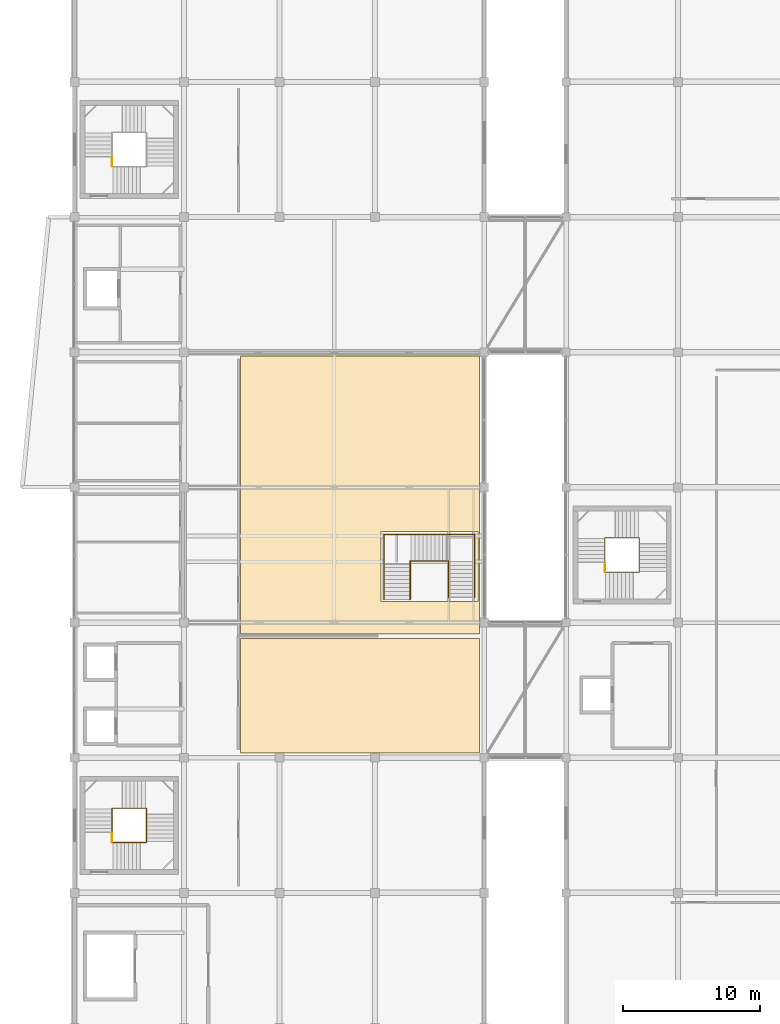
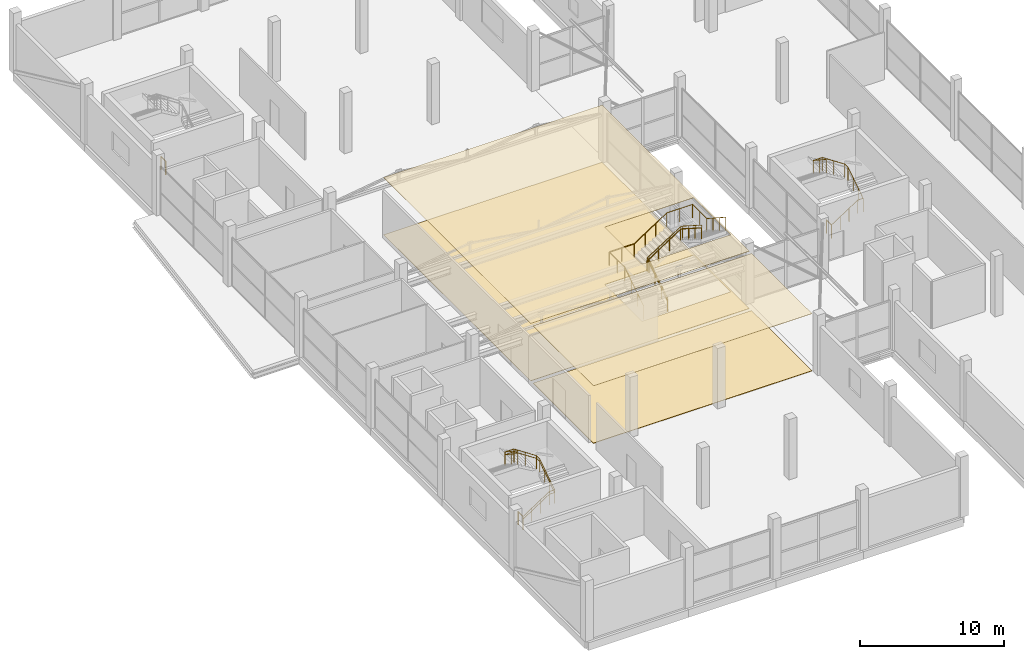
# One storey, part 65 of 66: 9 railings, 4 coverings.
"""IFC4 building model written with IfcOpenShell, lengths in metres."""

from ifc_helpers import new_model, si_unit, direction, frame, origin, origin_2d, place, context, subcontext, project, spatial, polyline, circle, outline, extrude, material, layer, layer_set, type_object, element, save


model = new_model("IFC4")

# Units and contexts
model_context = context("Model", 3, precision=1e-05, world=origin(), true_north=direction((0.0, 1.0)))
body_context = subcontext(model_context, "Body", "Model", "MODEL_VIEW")
ifc_project = project(units=[si_unit("LENGTHUNIT", "METRE"), si_unit("AREAUNIT", "SQUARE_METRE"), si_unit("VOLUMEUNIT", "CUBIC_METRE"), si_unit("PLANEANGLEUNIT", "RADIAN"), si_unit("MASSUNIT", "GRAM", prefix="KILO")], contexts=[model_context])

# Site, building, storey
site_placement = place(None, origin())
site = spatial("IfcSite", under=ifc_project, at=site_placement, CompositionType="ELEMENT")
building_placement = place(site_placement, origin())
building = spatial("IfcBuilding", under=site, at=building_placement, Name="Sillaruma Civic Art Gallery", CompositionType="ELEMENT")
storey_placement = place(building_placement, frame((0.0, 0.0, 57.1201171875)))
storey = spatial("IfcBuildingStorey", under=building, at=storey_placement, Name="L11", CompositionType="ELEMENT", Elevation=57.1201171875)

# Coverings
ifc_material_1 = material(Name="Gypsum Acoustic Board", Category="gypsum")
ifc_layer_1 = layer(ifc_material_1, 0.030029296875, Name="Gypsum Acoustic Board")
ifc_layer_set_1 = layer_set([ifc_layer_1], Name="Gypsum Acoustic Board")
covering_type_1 = type_object("IfcCoveringType", Name="COV-CLG-30", PredefinedType="CEILING", material=ifc_layer_set_1)
covering_1_placement = place(storey_placement, frame((0.0, 0.0, 4.83984375)))
element("IfcCovering", 1, at=covering_1_placement, inside=storey, type_object=covering_type_1, Name="Acoustic Gallery Ceiling (L11-GALW1)", PredefinedType="CEILING", context=body_context, shape_type="SweptSolid", body=[
    extrude(outline(polyline([(74.159912109375, 39.9599609375), (91.639892578125, 39.9599609375), (91.639892578125, 48.340087890625), (74.159912109375, 48.340087890625), (74.159912109375, 39.9599609375)])), origin(), (0.0, 0.0, 1.0), 0.030029296875),
])
covering_2_placement = place(storey_placement, frame((0.0, 0.0, 4.83984375)))
element("IfcCovering", 2, at=covering_2_placement, inside=storey, type_object=covering_type_1, Name="Acoustic Gallery Ceiling (L11-GALW2)", PredefinedType="CEILING", context=body_context, shape_type="SweptSolid", body=[
    extrude(outline(polyline([(74.159912109375, 69.0400390625), (91.639892578125, 69.0400390625), (91.639892578125, 48.659912109375), (74.159912109375, 48.659912109375), (74.159912109375, 69.0400390625)]), holes=[polyline([(91.511962890625, 51.030029296875), (91.513916015625, 51.030517578125), (91.515869140625, 51.031005859375), (91.517578125, 51.031494140625), (91.519287109375, 51.032470703125), (91.52099609375, 51.033447265625), (91.522705078125, 51.034423828125), (91.524169921875, 51.035888671875), (91.525390625, 51.037353515625), (91.526611328125, 51.038818359375), (91.527587890625, 51.04052734375), (91.528564453125, 51.042236328125), (91.529052734375, 51.044189453125), (91.529541015625, 51.046142578125), (91.52978515625, 51.048095703125), (91.530029296875, 51.050048828125), (91.530029296875, 56.14990234375), (91.52978515625, 56.152099609375), (91.529541015625, 56.15380859375), (91.529052734375, 56.15576171875), (91.528564453125, 56.15771484375), (91.527587890625, 56.159423828125), (91.526611328125, 56.1611328125), (91.525390625, 56.16259765625), (91.524169921875, 56.1640625), (91.522705078125, 56.16552734375), (91.52099609375, 56.16650390625), (91.519287109375, 56.16748046875), (91.517578125, 56.16845703125), (91.515869140625, 56.169189453125), (91.513916015625, 56.169677734375), (91.511962890625, 56.169921875), (91.510009765625, 56.169921875), (84.449951171875, 56.169921875), (84.447998046875, 56.169921875), (84.446044921875, 56.169677734375), (84.444091796875, 56.169189453125), (84.4423828125, 56.16845703125), (84.440673828125, 56.16748046875), (84.43896484375, 56.16650390625), (84.437255859375, 56.16552734375), (84.435791015625, 56.1640625), (84.4345703125, 56.16259765625), (84.433349609375, 56.1611328125), (84.432373046875, 56.159423828125), (84.431396484375, 56.15771484375), (84.430908203125, 56.15576171875), (84.430419921875, 56.15380859375), (84.43017578125, 56.152099609375), (84.429931640625, 56.14990234375), (84.429931640625, 51.050048828125), (84.43017578125, 51.048095703125), (84.430419921875, 51.046142578125), (84.430908203125, 51.044189453125), (84.431396484375, 51.042236328125), (84.432373046875, 51.04052734375), (84.433349609375, 51.038818359375), (84.4345703125, 51.037353515625), (84.435791015625, 51.035888671875), (84.437255859375, 51.034423828125), (84.43896484375, 51.033447265625), (84.440673828125, 51.032470703125), (84.4423828125, 51.031494140625), (84.444091796875, 51.031005859375), (84.446044921875, 51.030517578125), (84.447998046875, 51.030029296875), (84.449951171875, 51.030029296875), (91.510009765625, 51.030029296875), (91.511962890625, 51.030029296875)])]), origin(), (0.0, 0.0, 1.0), 0.030029296875),
])
ifc_material_2 = material(Name="Polished Terrazzo", Category="masonry")
ifc_layer_2 = layer(ifc_material_2, 0.02490234375, Name="Polished Terrazzo")
ifc_layer_set_2 = layer_set([ifc_layer_2], Name="Polished Terrazzo")
covering_type_2 = type_object("IfcCoveringType", Name="COV-FLR-25", PredefinedType="FLOORING", material=ifc_layer_set_2)
covering_3_placement = place(storey_placement, origin())
element("IfcCovering", 3, at=covering_3_placement, inside=storey, type_object=covering_type_2, Name="Gallery Stone Terrazzo Flooring (L11-GALW2)", PredefinedType="FLOORING", context=body_context, shape_type="SweptSolid", body=[
    extrude(outline(polyline([(74.159912109375, 69.0400390625), (91.639892578125, 69.0400390625), (91.639892578125, 48.659912109375), (74.159912109375, 48.659912109375), (74.159912109375, 69.0400390625)]), holes=[polyline([(91.511962890625, 51.030029296875), (91.513916015625, 51.030517578125), (91.515869140625, 51.031005859375), (91.517578125, 51.031494140625), (91.519287109375, 51.032470703125), (91.52099609375, 51.033447265625), (91.522705078125, 51.034423828125), (91.524169921875, 51.035888671875), (91.525390625, 51.037353515625), (91.526611328125, 51.038818359375), (91.527587890625, 51.04052734375), (91.528564453125, 51.042236328125), (91.529052734375, 51.044189453125), (91.529541015625, 51.046142578125), (91.52978515625, 51.048095703125), (91.530029296875, 51.050048828125), (91.530029296875, 56.14990234375), (91.52978515625, 56.152099609375), (91.529541015625, 56.15380859375), (91.529052734375, 56.15576171875), (91.528564453125, 56.15771484375), (91.527587890625, 56.159423828125), (91.526611328125, 56.1611328125), (91.525390625, 56.16259765625), (91.524169921875, 56.1640625), (91.522705078125, 56.16552734375), (91.52099609375, 56.16650390625), (91.519287109375, 56.16748046875), (91.517578125, 56.16845703125), (91.515869140625, 56.169189453125), (91.513916015625, 56.169677734375), (91.511962890625, 56.169921875), (91.510009765625, 56.169921875), (84.449951171875, 56.169921875), (84.447998046875, 56.169921875), (84.446044921875, 56.169677734375), (84.444091796875, 56.169189453125), (84.4423828125, 56.16845703125), (84.440673828125, 56.16748046875), (84.43896484375, 56.16650390625), (84.437255859375, 56.16552734375), (84.435791015625, 56.1640625), (84.4345703125, 56.16259765625), (84.433349609375, 56.1611328125), (84.432373046875, 56.159423828125), (84.431396484375, 56.15771484375), (84.430908203125, 56.15576171875), (84.430419921875, 56.15380859375), (84.43017578125, 56.152099609375), (84.429931640625, 56.14990234375), (84.429931640625, 51.050048828125), (84.43017578125, 51.048095703125), (84.430419921875, 51.046142578125), (84.430908203125, 51.044189453125), (84.431396484375, 51.042236328125), (84.432373046875, 51.04052734375), (84.433349609375, 51.038818359375), (84.4345703125, 51.037353515625), (84.435791015625, 51.035888671875), (84.437255859375, 51.034423828125), (84.43896484375, 51.033447265625), (84.440673828125, 51.032470703125), (84.4423828125, 51.031494140625), (84.444091796875, 51.031005859375), (84.446044921875, 51.030517578125), (84.447998046875, 51.030029296875), (84.449951171875, 51.030029296875), (91.510009765625, 51.030029296875), (91.511962890625, 51.030029296875)])]), origin(), (0.0, 0.0, 1.0), 0.02490234375),
])
ifc_material_3 = material(Name="Basalt Paver Stone", Category="masonry")
ifc_layer_3 = layer(ifc_material_3, 0.034912109375, Name="Basalt Paver Stone")
ifc_layer_set_3 = layer_set([ifc_layer_3], Name="Basalt Paver Stone")
covering_type_3 = type_object("IfcCoveringType", Name="COV-FLR-35", PredefinedType="FLOORING", material=ifc_layer_set_3)
covering_4_placement = place(storey_placement, origin())
element("IfcCovering", 4, at=covering_4_placement, inside=storey, type_object=covering_type_3, Name="Gallery Stone Terrazzo Flooring (L11-GALW1)", PredefinedType="FLOORING", context=body_context, shape_type="SweptSolid", body=[
    extrude(outline(polyline([(74.159912109375, 39.9599609375), (91.639892578125, 39.9599609375), (91.639892578125, 48.340087890625), (74.159912109375, 48.340087890625), (74.159912109375, 39.9599609375)])), origin(), (0.0, 0.0, 1.0), 0.034912109375),
])

# Railings
ifc_material_4 = material(Name="Stainless Steel AISI 316", Category="steel")
railing_type_1 = type_object("IfcRailingType", Name="RAL-BAL-1150", PredefinedType="BALUSTRADE", material=ifc_material_4)
for number, where, name in (
    (5, (64.739990234375, 82.889892578125, 0.0), "Stair Floor Edge Guard (ST-02:L11)"),
    (6, (64.739990234375, 33.389892578125, 0.0), "Stair Floor Edge Guard (ST-03:L11)"),
):
    element("IfcRailing", number, at=place(storey_placement, frame(where)), inside=storey, type_object=railing_type_1, Name=name, PredefinedType="BALUSTRADE", context=body_context, shape_type="SweptSolid", body=[
        extrude(circle(Radius=0.02392578125, at=origin_2d()), frame((0.0, 0.0, 1.1259765625), z_axis=(0.0, 1.0, 0.0), x_axis=(-1.0, 0.0, 0.0)), (0.0, 0.0, 1.0), 0.68017578125),
        extrude(circle(Radius=0.02099609375, at=origin_2d()), origin(), (0.0, 0.0, 1.0), 1.101806640625),
        extrude(circle(Radius=0.02099609375, at=origin_2d()), frame((0.0, 0.68017578125, 0.0)), (0.0, 0.0, 1.0), 1.101806640625),
    ])
railing_1_placement = place(storey_placement, frame((64.739990234375, 33.389892578125, 0.0)))
element("IfcRailing", 7, at=railing_1_placement, inside=storey, type_object=railing_type_1, Name="Stair Well Balustrade (ST-03-L11)", PredefinedType="BALUSTRADE", context=body_context, shape_type="SweptSolid", body=[
    extrude(circle(Radius=0.02392578125, at=origin_2d()), frame((0.0, 0.0, 1.1259765625), z_axis=(0.838204181713, 0.0, 0.545356534534), x_axis=(0.0, 1.0, 0.0)), (0.0, 0.0, 1.0), 2.49365234375),
    extrude(circle(Radius=0.02392578125, at=origin_2d()), frame((2.090087890625, 0.0, 2.48583984375), z_axis=(1.0, 0.0, 0.0), x_axis=(0.0, 1.0, 0.0)), (0.0, 0.0, 1.0), 0.429931640625),
    extrude(circle(Radius=0.02392578125, at=origin_2d()), frame((2.52001953125, 0.0, 2.48583984375), z_axis=(0.0, 0.838159424827, 0.545425318971), x_axis=(-1.0, 0.0, 0.0)), (0.0, 0.0, 1.0), 2.49365234375),
    extrude(circle(Radius=0.02392578125, at=origin_2d()), frame((2.52001953125, 2.090087890625, 3.845703125), z_axis=(0.0, 1.0, 0.0), x_axis=(-1.0, 0.0, 0.0)), (0.0, 0.0, 1.0), 0.429931640625),
    extrude(circle(Radius=0.02392578125, at=origin_2d()), frame((2.52001953125, 2.52001953125, 3.845703125), z_axis=(-0.834202413191, 0.0, 0.551458369984), x_axis=(0.0, -1.0, 0.0)), (0.0, 0.0, 1.0), 2.15771484375),
    extrude(circle(Radius=0.02392578125, at=origin_2d()), frame((0.719970703125, 2.52001953125, 5.03564453125), z_axis=(-1.0, 0.0, 0.0), x_axis=(0.0, -1.0, 0.0)), (0.0, 0.0, 1.0), 0.719970703125),
    extrude(circle(Radius=0.02392578125, at=origin_2d()), frame((0.0, 2.52001953125, 5.03564453125), z_axis=(0.0, -0.834168000855, 0.551510422703), x_axis=(1.0, 0.0, 0.0)), (0.0, 0.0, 1.0), 2.15771484375),
    extrude(circle(Radius=0.02099609375, at=origin_2d()), origin(), (0.0, 0.0, 1.0), 1.101806640625),
    extrude(circle(Radius=0.02099609375, at=origin_2d()), frame((0.69677734375, 0.0, 0.453369140625)), (0.0, 0.0, 1.0), 1.101806640625),
    extrude(circle(Radius=0.02099609375, at=origin_2d()), frame((1.393310546875, 0.0, 0.906494140625)), (0.0, 0.0, 1.0), 1.101806640625),
    extrude(circle(Radius=0.02099609375, at=origin_2d()), frame((2.090087890625, 0.0, 1.35986328125)), (0.0, 0.0, 1.0), 1.101806640625),
    extrude(circle(Radius=0.02099609375, at=origin_2d()), frame((2.52001953125, 0.0, 1.35986328125)), (0.0, 0.0, 1.0), 1.101806640625),
    extrude(circle(Radius=0.02099609375, at=origin_2d()), frame((2.52001953125, 0.69677734375, 1.813232421875)), (0.0, 0.0, 1.0), 1.101806640625),
    extrude(circle(Radius=0.02099609375, at=origin_2d()), frame((2.52001953125, 1.393310546875, 2.2666015625)), (0.0, 0.0, 1.0), 1.101806640625),
    extrude(circle(Radius=0.02099609375, at=origin_2d()), frame((2.52001953125, 2.090087890625, 2.719970703125)), (0.0, 0.0, 1.0), 1.101806640625),
    extrude(circle(Radius=0.02099609375, at=origin_2d()), frame((2.52001953125, 2.52001953125, 2.719970703125)), (0.0, 0.0, 1.0), 1.101806640625),
    extrude(circle(Radius=0.02099609375, at=origin_2d()), frame((1.6201171875, 2.52001953125, 3.31494140625)), (0.0, 0.0, 1.0), 1.101806640625),
    extrude(circle(Radius=0.02099609375, at=origin_2d()), frame((0.719970703125, 2.52001953125, 3.909912109375)), (0.0, 0.0, 1.0), 1.101806640625),
    extrude(circle(Radius=0.02099609375, at=origin_2d()), frame((0.0, 2.52001953125, 3.909912109375)), (0.0, 0.0, 1.0), 1.101806640625),
    extrude(circle(Radius=0.02099609375, at=origin_2d()), frame((0.0, 1.6201171875, 4.5048828125)), (0.0, 0.0, 1.0), 1.101806640625),
    extrude(circle(Radius=0.02099609375, at=origin_2d()), frame((0.0, 0.72021484375, 5.099853515625)), (0.0, 0.0, 1.0), 1.101806640625),
])
railing_2_placement = place(storey_placement, frame((100.840087890625, 53.18994140625, 0.0)))
element("IfcRailing", 8, at=railing_2_placement, inside=storey, type_object=railing_type_1, Name="Stair Floor Edge Guard (ST-04:L11)", PredefinedType="BALUSTRADE", context=body_context, shape_type="SweptSolid", body=[
    extrude(circle(Radius=0.02392578125, at=origin_2d()), frame((0.0, 0.0, 1.1259765625), z_axis=(0.0, 1.0, 0.0), x_axis=(-1.0, 0.0, 0.0)), (0.0, 0.0, 1.0), 0.68017578125),
    extrude(circle(Radius=0.02099609375, at=origin_2d()), origin(), (0.0, 0.0, 1.0), 1.101806640625),
    extrude(circle(Radius=0.02099609375, at=origin_2d()), frame((0.0, 0.68017578125, 0.0)), (0.0, 0.0, 1.0), 1.101806640625),
])
railing_3_placement = place(storey_placement, frame((100.840087890625, 53.18994140625, 0.0)))
element("IfcRailing", 9, at=railing_3_placement, inside=storey, type_object=railing_type_1, Name="Stair Well Balustrade (ST-04-L11)", PredefinedType="BALUSTRADE", context=body_context, shape_type="SweptSolid", body=[
    extrude(circle(Radius=0.02392578125, at=origin_2d()), frame((0.0, 0.0, 1.1259765625), z_axis=(0.838175058464, 0.0, 0.545401293883), x_axis=(0.0, 1.0, 0.0)), (0.0, 0.0, 1.0), 2.493408203125),
    extrude(circle(Radius=0.02392578125, at=origin_2d()), frame((2.08984375, 0.0, 2.48583984375), z_axis=(1.0, 0.0, 0.0), x_axis=(0.0, 1.0, 0.0)), (0.0, 0.0, 1.0), 0.43017578125),
    extrude(circle(Radius=0.02392578125, at=origin_2d()), frame((2.52001953125, 0.0, 2.48583984375), z_axis=(0.0, 0.838159424827, 0.545425318971), x_axis=(-1.0, 0.0, 0.0)), (0.0, 0.0, 1.0), 2.49365234375),
    extrude(circle(Radius=0.02392578125, at=origin_2d()), frame((2.52001953125, 2.090087890625, 3.845703125), z_axis=(0.0, 1.0, 0.0), x_axis=(-1.0, 0.0, 0.0)), (0.0, 0.0, 1.0), 0.429931640625),
    extrude(circle(Radius=0.02392578125, at=origin_2d()), frame((2.52001953125, 2.52001953125, 3.845703125), z_axis=(-0.834202413191, 0.0, 0.551458369984), x_axis=(0.0, -1.0, 0.0)), (0.0, 0.0, 1.0), 2.15771484375),
    extrude(circle(Radius=0.02392578125, at=origin_2d()), frame((0.719970703125, 2.52001953125, 5.03564453125), z_axis=(-1.0, 0.0, 0.0), x_axis=(0.0, -1.0, 0.0)), (0.0, 0.0, 1.0), 0.719970703125),
    extrude(circle(Radius=0.02392578125, at=origin_2d()), frame((0.0, 2.52001953125, 5.03564453125), z_axis=(0.0, -0.834202413191, 0.551458369984), x_axis=(1.0, 0.0, 0.0)), (0.0, 0.0, 1.0), 2.15771484375),
    extrude(circle(Radius=0.02099609375, at=origin_2d()), origin(), (0.0, 0.0, 1.0), 1.101806640625),
    extrude(circle(Radius=0.02099609375, at=origin_2d()), frame((0.696533203125, 0.0, 0.453369140625)), (0.0, 0.0, 1.0), 1.101806640625),
    extrude(circle(Radius=0.02099609375, at=origin_2d()), frame((1.393310546875, 0.0, 0.906494140625)), (0.0, 0.0, 1.0), 1.101806640625),
    extrude(circle(Radius=0.02099609375, at=origin_2d()), frame((2.08984375, 0.0, 1.35986328125)), (0.0, 0.0, 1.0), 1.101806640625),
    extrude(circle(Radius=0.02099609375, at=origin_2d()), frame((2.52001953125, 0.0, 1.35986328125)), (0.0, 0.0, 1.0), 1.101806640625),
    extrude(circle(Radius=0.02099609375, at=origin_2d()), frame((2.52001953125, 0.69677734375, 1.813232421875)), (0.0, 0.0, 1.0), 1.101806640625),
    extrude(circle(Radius=0.02099609375, at=origin_2d()), frame((2.52001953125, 1.393310546875, 2.2666015625)), (0.0, 0.0, 1.0), 1.101806640625),
    extrude(circle(Radius=0.02099609375, at=origin_2d()), frame((2.52001953125, 2.090087890625, 2.719970703125)), (0.0, 0.0, 1.0), 1.101806640625),
    extrude(circle(Radius=0.02099609375, at=origin_2d()), frame((2.52001953125, 2.52001953125, 2.719970703125)), (0.0, 0.0, 1.0), 1.101806640625),
    extrude(circle(Radius=0.02099609375, at=origin_2d()), frame((1.6201171875, 2.52001953125, 3.31494140625)), (0.0, 0.0, 1.0), 1.101806640625),
    extrude(circle(Radius=0.02099609375, at=origin_2d()), frame((0.719970703125, 2.52001953125, 3.909912109375)), (0.0, 0.0, 1.0), 1.101806640625),
    extrude(circle(Radius=0.02099609375, at=origin_2d()), frame((0.0, 2.52001953125, 3.909912109375)), (0.0, 0.0, 1.0), 1.101806640625),
    extrude(circle(Radius=0.02099609375, at=origin_2d()), frame((0.0, 1.6201171875, 4.5048828125)), (0.0, 0.0, 1.0), 1.101806640625),
    extrude(circle(Radius=0.02099609375, at=origin_2d()), frame((0.0, 0.719970703125, 5.099853515625)), (0.0, 0.0, 1.0), 1.101806640625),
])
railing_4_placement = place(storey_placement, frame((86.580078125, 51.199951171875, 0.0)))
element("IfcRailing", 10, at=railing_4_placement, inside=storey, type_object=railing_type_1, Name="Feature Stair Inner Guard (ST-G07)", PredefinedType="BALUSTRADE", context=body_context, shape_type="SweptSolid", body=[
    extrude(circle(Radius=0.02392578125, at=origin_2d()), frame((0.0, 0.0, 1.1259765625), z_axis=(0.0, 0.83794723758, 0.545751250142), x_axis=(-1.0, 0.0, 0.0)), (0.0, 0.0, 1.0), 3.114990234375),
    extrude(circle(Radius=0.02392578125, at=origin_2d()), frame((0.0, 2.610107421875, 2.82568359375), z_axis=(0.0, 1.0, 0.0), x_axis=(-1.0, 0.0, 0.0)), (0.0, 0.0, 1.0), 0.2099609375),
    extrude(circle(Radius=0.02392578125, at=origin_2d()), frame((0.0, 2.820068359375, 2.82568359375), z_axis=(0.843531243528, 0.0, 0.537080106866), x_axis=(0.0, 1.0, 0.0)), (0.0, 0.0, 1.0), 3.165283203125),
    extrude(circle(Radius=0.02392578125, at=origin_2d()), frame((2.669921875, 2.820068359375, 4.52587890625), z_axis=(1.0, 0.0, 0.0), x_axis=(0.0, 1.0, 0.0)), (0.0, 0.0, 1.0), 0.1298828125),
    extrude(circle(Radius=0.02392578125, at=origin_2d()), frame((2.7998046875, 2.820068359375, 4.52587890625), z_axis=(0.0, -0.843531243528, 0.537080106866), x_axis=(1.0, 0.0, 0.0)), (0.0, 0.0, 1.0), 3.165283203125),
    extrude(circle(Radius=0.02099609375, at=origin_2d()), origin(), (0.0, 0.0, 1.0), 1.101806640625),
    extrude(circle(Radius=0.02099609375, at=origin_2d()), frame((0.0, 0.8701171875, 0.566650390625)), (0.0, 0.0, 1.0), 1.101806640625),
    extrude(circle(Radius=0.02099609375, at=origin_2d()), frame((0.0, 1.739990234375, 1.13330078125)), (0.0, 0.0, 1.0), 1.101806640625),
    extrude(circle(Radius=0.02099609375, at=origin_2d()), frame((0.0, 2.610107421875, 1.699951171875)), (0.0, 0.0, 1.0), 1.101806640625),
    extrude(circle(Radius=0.02099609375, at=origin_2d()), frame((0.0, 2.820068359375, 1.699951171875)), (0.0, 0.0, 1.0), 1.101806640625),
    extrude(circle(Radius=0.02099609375, at=origin_2d()), frame((0.889892578125, 2.820068359375, 2.2666015625)), (0.0, 0.0, 1.0), 1.101806640625),
    extrude(circle(Radius=0.02099609375, at=origin_2d()), frame((1.780029296875, 2.820068359375, 2.833251953125)), (0.0, 0.0, 1.0), 1.101806640625),
    extrude(circle(Radius=0.02099609375, at=origin_2d()), frame((2.669921875, 2.820068359375, 3.39990234375)), (0.0, 0.0, 1.0), 1.101806640625),
    extrude(circle(Radius=0.02099609375, at=origin_2d()), frame((2.7998046875, 2.820068359375, 3.39990234375)), (0.0, 0.0, 1.0), 1.101806640625),
    extrude(circle(Radius=0.02099609375, at=origin_2d()), frame((2.7998046875, 1.93017578125, 3.966552734375)), (0.0, 0.0, 1.0), 1.101806640625),
    extrude(circle(Radius=0.02099609375, at=origin_2d()), frame((2.7998046875, 1.0400390625, 4.533203125)), (0.0, 0.0, 1.0), 1.101806640625),
    extrude(circle(Radius=0.02099609375, at=origin_2d()), frame((2.7998046875, 0.150146484375, 5.099853515625)), (0.0, 0.0, 1.0), 1.101806640625),
])
railing_5_placement = place(storey_placement, frame((84.659912109375, 51.199951171875, 0.0)))
element("IfcRailing", 11, at=railing_5_placement, inside=storey, type_object=railing_type_1, Name="Feature Stair Outer Guard (ST-G07)", PredefinedType="BALUSTRADE", context=body_context, shape_type="SweptSolid", body=[
    extrude(circle(Radius=0.02392578125, at=origin_2d()), frame((0.0, 0.0, 1.1259765625), z_axis=(0.0, 0.83794723758, 0.545751250142), x_axis=(-1.0, 0.0, 0.0)), (0.0, 0.0, 1.0), 3.114990234375),
    extrude(circle(Radius=0.02392578125, at=origin_2d()), frame((0.0, 2.610107421875, 2.82568359375), z_axis=(0.0, 1.0, 0.0), x_axis=(-1.0, 0.0, 0.0)), (0.0, 0.0, 1.0), 2.1298828125),
    extrude(circle(Radius=0.02392578125, at=origin_2d()), frame((0.0, 4.739990234375, 2.82568359375), z_axis=(1.0, 0.0, 0.0), x_axis=(0.0, 1.0, 0.0)), (0.0, 0.0, 1.0), 1.97998046875),
    extrude(circle(Radius=0.02392578125, at=origin_2d()), frame((1.97998046875, 4.739990234375, 2.82568359375), z_axis=(0.83794723758, 0.0, 0.545751250142), x_axis=(0.0, 1.0, 0.0)), (0.0, 0.0, 1.0), 3.114990234375),
    extrude(circle(Radius=0.02392578125, at=origin_2d()), frame((4.590087890625, 4.739990234375, 4.52587890625), z_axis=(1.0, 0.0, 0.0), x_axis=(0.0, 1.0, 0.0)), (0.0, 0.0, 1.0), 2.050048828125),
    extrude(circle(Radius=0.02392578125, at=origin_2d()), frame((6.64013671875, 4.739990234375, 4.52587890625), z_axis=(0.0, -1.0, 0.0), x_axis=(1.0, 0.0, 0.0)), (0.0, 0.0, 1.0), 1.97998046875),
    extrude(circle(Radius=0.02392578125, at=origin_2d()), frame((6.64013671875, 2.760009765625, 4.52587890625), z_axis=(0.0, -0.837923890606, 0.545787095443), x_axis=(1.0, 0.0, 0.0)), (0.0, 0.0, 1.0), 3.11474609375),
    extrude(circle(Radius=0.02099609375, at=origin_2d()), origin(), (0.0, 0.0, 1.0), 1.101806640625),
    extrude(circle(Radius=0.02099609375, at=origin_2d()), frame((0.0, 0.8701171875, 0.566650390625)), (0.0, 0.0, 1.0), 1.101806640625),
    extrude(circle(Radius=0.02099609375, at=origin_2d()), frame((0.0, 1.739990234375, 1.13330078125)), (0.0, 0.0, 1.0), 1.101806640625),
    extrude(circle(Radius=0.02099609375, at=origin_2d()), frame((0.0, 2.610107421875, 1.699951171875)), (0.0, 0.0, 1.0), 1.101806640625),
    extrude(circle(Radius=0.02099609375, at=origin_2d()), frame((0.0, 3.675048828125, 1.699951171875)), (0.0, 0.0, 1.0), 1.101806640625),
    extrude(circle(Radius=0.02099609375, at=origin_2d()), frame((0.0, 4.739990234375, 1.699951171875)), (0.0, 0.0, 1.0), 1.101806640625),
    extrude(circle(Radius=0.02099609375, at=origin_2d()), frame((0.989990234375, 4.739990234375, 1.699951171875)), (0.0, 0.0, 1.0), 1.101806640625),
    extrude(circle(Radius=0.02099609375, at=origin_2d()), frame((1.97998046875, 4.739990234375, 1.699951171875)), (0.0, 0.0, 1.0), 1.101806640625),
    extrude(circle(Radius=0.02099609375, at=origin_2d()), frame((2.85009765625, 4.739990234375, 2.2666015625)), (0.0, 0.0, 1.0), 1.101806640625),
    extrude(circle(Radius=0.02099609375, at=origin_2d()), frame((3.719970703125, 4.739990234375, 2.833251953125)), (0.0, 0.0, 1.0), 1.101806640625),
    extrude(circle(Radius=0.02099609375, at=origin_2d()), frame((4.590087890625, 4.739990234375, 3.39990234375)), (0.0, 0.0, 1.0), 1.101806640625),
    extrude(circle(Radius=0.02099609375, at=origin_2d()), frame((5.615234375, 4.739990234375, 3.39990234375)), (0.0, 0.0, 1.0), 1.101806640625),
    extrude(circle(Radius=0.02099609375, at=origin_2d()), frame((6.64013671875, 4.739990234375, 3.39990234375)), (0.0, 0.0, 1.0), 1.101806640625),
    extrude(circle(Radius=0.02099609375, at=origin_2d()), frame((6.64013671875, 3.75, 3.39990234375)), (0.0, 0.0, 1.0), 1.101806640625),
    extrude(circle(Radius=0.02099609375, at=origin_2d()), frame((6.64013671875, 2.760009765625, 3.39990234375)), (0.0, 0.0, 1.0), 1.101806640625),
    extrude(circle(Radius=0.02099609375, at=origin_2d()), frame((6.64013671875, 1.89013671875, 3.966552734375)), (0.0, 0.0, 1.0), 1.101806640625),
    extrude(circle(Radius=0.02099609375, at=origin_2d()), frame((6.64013671875, 1.02001953125, 4.533203125)), (0.0, 0.0, 1.0), 1.101806640625),
    extrude(circle(Radius=0.02099609375, at=origin_2d()), frame((6.64013671875, 0.150146484375, 5.099853515625)), (0.0, 0.0, 1.0), 1.101806640625),
])
railing_type_2 = type_object("IfcRailingType", Name="RAL-HND-920", PredefinedType="HANDRAIL", material=ifc_material_4)
railing_6_placement = place(storey_placement, frame((64.739990234375, 33.389892578125, 0.0)))
element("IfcRailing", 12, at=railing_6_placement, inside=storey, type_object=railing_type_2, Name="Stair Continuous Handrail (ST-03-L11)", PredefinedType="HANDRAIL", context=body_context, shape_type="SweptSolid", body=[
    extrude(circle(Radius=0.02392578125, at=origin_2d()), frame((0.0, 0.0, 0.89599609375), z_axis=(0.838204181713, 0.0, 0.545356534534), x_axis=(0.0, 1.0, 0.0)), (0.0, 0.0, 1.0), 2.49365234375),
    extrude(circle(Radius=0.02392578125, at=origin_2d()), frame((2.090087890625, 0.0, 2.255859375), z_axis=(1.0, 0.0, 0.0), x_axis=(0.0, 1.0, 0.0)), (0.0, 0.0, 1.0), 0.429931640625),
    extrude(circle(Radius=0.02392578125, at=origin_2d()), frame((2.52001953125, 0.0, 2.255859375), z_axis=(0.0, 0.838159424827, 0.545425318971), x_axis=(-1.0, 0.0, 0.0)), (0.0, 0.0, 1.0), 2.49365234375),
    extrude(circle(Radius=0.02392578125, at=origin_2d()), frame((2.52001953125, 2.090087890625, 3.61572265625), z_axis=(0.0, 1.0, 0.0), x_axis=(-1.0, 0.0, 0.0)), (0.0, 0.0, 1.0), 0.429931640625),
    extrude(circle(Radius=0.02392578125, at=origin_2d()), frame((2.52001953125, 2.52001953125, 3.61572265625), z_axis=(-0.834202413191, 0.0, 0.551458369984), x_axis=(0.0, -1.0, 0.0)), (0.0, 0.0, 1.0), 2.15771484375),
    extrude(circle(Radius=0.02392578125, at=origin_2d()), frame((0.719970703125, 2.52001953125, 4.8056640625), z_axis=(-1.0, 0.0, 0.0), x_axis=(0.0, -1.0, 0.0)), (0.0, 0.0, 1.0), 0.719970703125),
    extrude(circle(Radius=0.02392578125, at=origin_2d()), frame((0.0, 2.52001953125, 4.8056640625), z_axis=(0.0, -0.834168000855, 0.551510422703), x_axis=(1.0, 0.0, 0.0)), (0.0, 0.0, 1.0), 2.15771484375),
    extrude(circle(Radius=0.02099609375, at=origin_2d()), origin(), (0.0, 0.0, 1.0), 0.871826171875),
    extrude(circle(Radius=0.02099609375, at=origin_2d()), frame((0.69677734375, 0.0, 0.453369140625)), (0.0, 0.0, 1.0), 0.871826171875),
    extrude(circle(Radius=0.02099609375, at=origin_2d()), frame((1.393310546875, 0.0, 0.906494140625)), (0.0, 0.0, 1.0), 0.871826171875),
    extrude(circle(Radius=0.02099609375, at=origin_2d()), frame((2.090087890625, 0.0, 1.35986328125)), (0.0, 0.0, 1.0), 0.871826171875),
    extrude(circle(Radius=0.02099609375, at=origin_2d()), frame((2.52001953125, 0.0, 1.35986328125)), (0.0, 0.0, 1.0), 0.871826171875),
    extrude(circle(Radius=0.02099609375, at=origin_2d()), frame((2.52001953125, 0.69677734375, 1.813232421875)), (0.0, 0.0, 1.0), 0.871826171875),
    extrude(circle(Radius=0.02099609375, at=origin_2d()), frame((2.52001953125, 1.393310546875, 2.2666015625)), (0.0, 0.0, 1.0), 0.871826171875),
    extrude(circle(Radius=0.02099609375, at=origin_2d()), frame((2.52001953125, 2.090087890625, 2.719970703125)), (0.0, 0.0, 1.0), 0.871826171875),
    extrude(circle(Radius=0.02099609375, at=origin_2d()), frame((2.52001953125, 2.52001953125, 2.719970703125)), (0.0, 0.0, 1.0), 0.871826171875),
    extrude(circle(Radius=0.02099609375, at=origin_2d()), frame((1.6201171875, 2.52001953125, 3.31494140625)), (0.0, 0.0, 1.0), 0.871826171875),
    extrude(circle(Radius=0.02099609375, at=origin_2d()), frame((0.719970703125, 2.52001953125, 3.909912109375)), (0.0, 0.0, 1.0), 0.871826171875),
    extrude(circle(Radius=0.02099609375, at=origin_2d()), frame((0.0, 2.52001953125, 3.909912109375)), (0.0, 0.0, 1.0), 0.871826171875),
    extrude(circle(Radius=0.02099609375, at=origin_2d()), frame((0.0, 1.6201171875, 4.5048828125)), (0.0, 0.0, 1.0), 0.871826171875),
    extrude(circle(Radius=0.02099609375, at=origin_2d()), frame((0.0, 0.72021484375, 5.099853515625)), (0.0, 0.0, 1.0), 0.871826171875),
])
railing_7_placement = place(storey_placement, frame((86.580078125, 51.199951171875, 0.0)))
element("IfcRailing", 13, at=railing_7_placement, inside=storey, type_object=railing_type_2, Name="Feature Stair Handrail (ST-G07)", PredefinedType="HANDRAIL", context=body_context, shape_type="SweptSolid", body=[
    extrude(circle(Radius=0.02392578125, at=origin_2d()), frame((0.0, 0.0, 0.89599609375), z_axis=(0.0, 0.83794723758, 0.545751250142), x_axis=(-1.0, 0.0, 0.0)), (0.0, 0.0, 1.0), 3.114990234375),
    extrude(circle(Radius=0.02392578125, at=origin_2d()), frame((0.0, 2.610107421875, 2.595703125), z_axis=(0.0, 1.0, 0.0), x_axis=(-1.0, 0.0, 0.0)), (0.0, 0.0, 1.0), 0.2099609375),
    extrude(circle(Radius=0.02392578125, at=origin_2d()), frame((0.0, 2.820068359375, 2.595703125), z_axis=(0.843531243528, 0.0, 0.537080106866), x_axis=(0.0, 1.0, 0.0)), (0.0, 0.0, 1.0), 3.165283203125),
    extrude(circle(Radius=0.02392578125, at=origin_2d()), frame((2.669921875, 2.820068359375, 4.2958984375), z_axis=(1.0, 0.0, 0.0), x_axis=(0.0, 1.0, 0.0)), (0.0, 0.0, 1.0), 0.1298828125),
    extrude(circle(Radius=0.02392578125, at=origin_2d()), frame((2.7998046875, 2.820068359375, 4.2958984375), z_axis=(0.0, -0.843531243528, 0.537080106866), x_axis=(1.0, 0.0, 0.0)), (0.0, 0.0, 1.0), 3.165283203125),
    extrude(circle(Radius=0.02099609375, at=origin_2d()), origin(), (0.0, 0.0, 1.0), 0.871826171875),
    extrude(circle(Radius=0.02099609375, at=origin_2d()), frame((0.0, 0.8701171875, 0.566650390625)), (0.0, 0.0, 1.0), 0.871826171875),
    extrude(circle(Radius=0.02099609375, at=origin_2d()), frame((0.0, 1.739990234375, 1.13330078125)), (0.0, 0.0, 1.0), 0.871826171875),
    extrude(circle(Radius=0.02099609375, at=origin_2d()), frame((0.0, 2.610107421875, 1.699951171875)), (0.0, 0.0, 1.0), 0.871826171875),
    extrude(circle(Radius=0.02099609375, at=origin_2d()), frame((0.0, 2.820068359375, 1.699951171875)), (0.0, 0.0, 1.0), 0.871826171875),
    extrude(circle(Radius=0.02099609375, at=origin_2d()), frame((0.889892578125, 2.820068359375, 2.2666015625)), (0.0, 0.0, 1.0), 0.871826171875),
    extrude(circle(Radius=0.02099609375, at=origin_2d()), frame((1.780029296875, 2.820068359375, 2.833251953125)), (0.0, 0.0, 1.0), 0.871826171875),
    extrude(circle(Radius=0.02099609375, at=origin_2d()), frame((2.669921875, 2.820068359375, 3.39990234375)), (0.0, 0.0, 1.0), 0.871826171875),
    extrude(circle(Radius=0.02099609375, at=origin_2d()), frame((2.7998046875, 2.820068359375, 3.39990234375)), (0.0, 0.0, 1.0), 0.871826171875),
    extrude(circle(Radius=0.02099609375, at=origin_2d()), frame((2.7998046875, 1.93017578125, 3.966552734375)), (0.0, 0.0, 1.0), 0.871826171875),
    extrude(circle(Radius=0.02099609375, at=origin_2d()), frame((2.7998046875, 1.0400390625, 4.533203125)), (0.0, 0.0, 1.0), 0.871826171875),
    extrude(circle(Radius=0.02099609375, at=origin_2d()), frame((2.7998046875, 0.150146484375, 5.099853515625)), (0.0, 0.0, 1.0), 0.871826171875),
])

save(model, "model.ifc")
